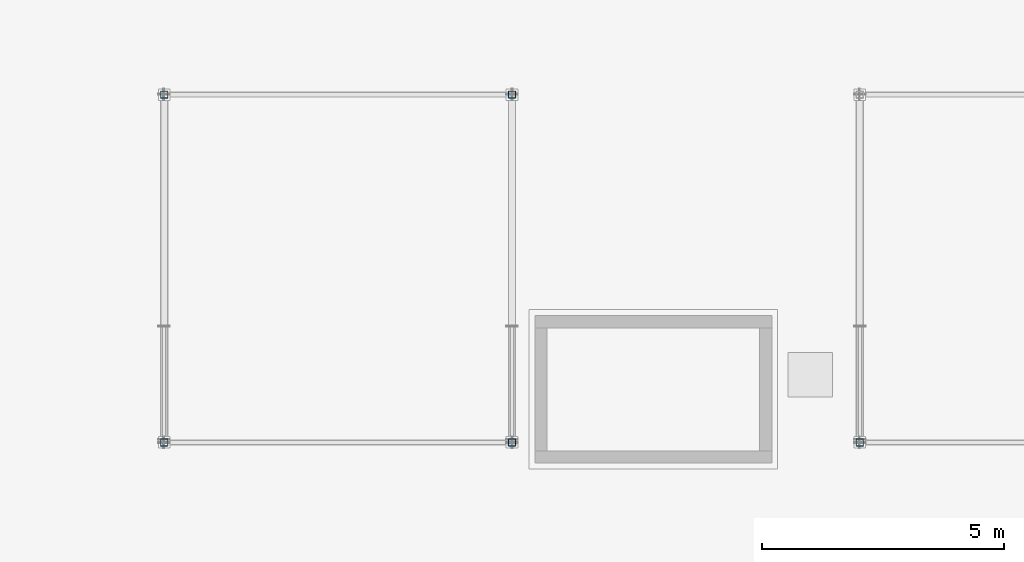
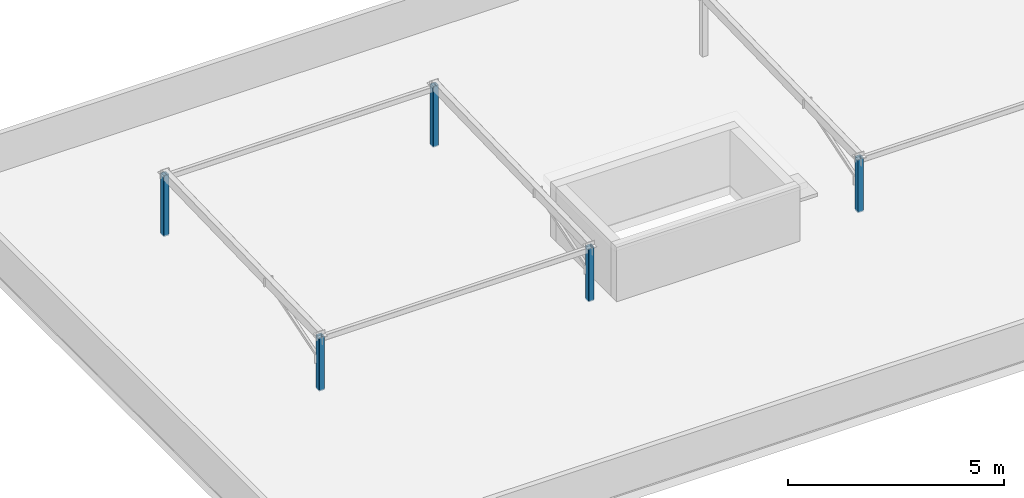
# One storey, part 1 of 7: 5 columns.
"""IFC4 building model written with IfcOpenShell, lengths in metres."""

from ifc_helpers import new_model, si_unit, direction, frame, origin, origin_2d, place, context, subcontext, project, spatial, hollow_rectangle, extrude, material, material_profile, profile_set, type_object, element, save


model = new_model("IFC4")

# Units and contexts
model_context = context("Model", 3, precision=1e-05, world=origin(), true_north=direction((0.0, 1.0)))
body_context = subcontext(model_context, "Body", "Model", "MODEL_VIEW")
ifc_project = project(units=[si_unit("LENGTHUNIT", "METRE"), si_unit("AREAUNIT", "SQUARE_METRE"), si_unit("VOLUMEUNIT", "CUBIC_METRE"), si_unit("PLANEANGLEUNIT", "RADIAN"), si_unit("MASSUNIT", "GRAM", prefix="KILO")], contexts=[model_context])

# Site, building, storey
site_placement = place(None, origin())
site = spatial("IfcSite", under=ifc_project, at=site_placement, CompositionType="ELEMENT")
building_placement = place(site_placement, origin())
building = spatial("IfcBuilding", under=site, at=building_placement, Name="Ochrevale Crest", CompositionType="ELEMENT")
storey_placement = place(building_placement, frame((0.0, 0.0, 52.800048828125)))
storey = spatial("IfcBuildingStorey", under=building, at=storey_placement, Name="RF", CompositionType="ELEMENT", Elevation=52.800048828125)

# Columns
ifc_material = material(Name="Steel S355", Category="steel")
ifc_material_profile = material_profile(ifc_material, hollow_rectangle(XDim=0.14990234375, YDim=0.14990234375, WallThickness=0.006103515625, InnerFilletRadius=0.006103515625, OuterFilletRadius=0.011962890625, at=origin_2d()), Name="150x150x6.0SHS")
ifc_profile_set = profile_set([ifc_material_profile], Name="Steel S355")
column_type = type_object("IfcColumnType", Name="COL-SHS150", PredefinedType="COLUMN", material=ifc_profile_set)
column_1_placement = place(storey_placement, frame((136.800048828125, 79.199951171875, 0.0), z_axis=(0.0, 0.0, 1.0), x_axis=(1.0, 0.0, 0.0)))
element("IfcColumn", 1, at=column_1_placement, inside=storey, type_object=column_type, Name="Block D solar-frame support post", PredefinedType="COLUMN", context=body_context, shape_type="SweptSolid", body=[
    extrude(hollow_rectangle(XDim=0.14990234375, YDim=0.14990234375, WallThickness=0.006103515625, InnerFilletRadius=0.006103515625, OuterFilletRadius=0.011962890625, at=origin_2d()), origin(), (0.0, 0.0, 1.0), 1.52001953125),
])
column_2_placement = place(storey_placement, frame((136.800048828125, 86.39990234375, 0.0), z_axis=(0.0, 0.0, 1.0), x_axis=(1.0, 0.0, 0.0)))
element("IfcColumn", 2, at=column_2_placement, inside=storey, type_object=column_type, Name="Block D solar-frame support post", PredefinedType="COLUMN", context=body_context, shape_type="SweptSolid", body=[
    extrude(hollow_rectangle(XDim=0.14990234375, YDim=0.14990234375, WallThickness=0.006103515625, InnerFilletRadius=0.006103515625, OuterFilletRadius=0.011962890625, at=origin_2d()), origin(), (0.0, 0.0, 1.0), 1.719970703125),
])
column_3_placement = place(storey_placement, frame((144.0, 79.199951171875, 0.0), z_axis=(0.0, 0.0, 1.0), x_axis=(1.0, 0.0, 0.0)))
element("IfcColumn", 3, at=column_3_placement, inside=storey, type_object=column_type, Name="Block D solar-frame support post", PredefinedType="COLUMN", context=body_context, shape_type="SweptSolid", body=[
    extrude(hollow_rectangle(XDim=0.14990234375, YDim=0.14990234375, WallThickness=0.006103515625, InnerFilletRadius=0.006103515625, OuterFilletRadius=0.011962890625, at=origin_2d()), origin(), (0.0, 0.0, 1.0), 1.52001953125),
])
column_4_placement = place(storey_placement, frame((144.0, 86.39990234375, 0.0), z_axis=(0.0, 0.0, 1.0), x_axis=(1.0, 0.0, 0.0)))
element("IfcColumn", 4, at=column_4_placement, inside=storey, type_object=column_type, Name="Block D solar-frame support post", PredefinedType="COLUMN", context=body_context, shape_type="SweptSolid", body=[
    extrude(hollow_rectangle(XDim=0.14990234375, YDim=0.14990234375, WallThickness=0.006103515625, InnerFilletRadius=0.006103515625, OuterFilletRadius=0.011962890625, at=origin_2d()), origin(), (0.0, 0.0, 1.0), 1.719970703125),
])
column_5_placement = place(storey_placement, frame((151.199951171875, 79.199951171875, 0.0), z_axis=(0.0, 0.0, 1.0), x_axis=(1.0, 0.0, 0.0)))
element("IfcColumn", 5, at=column_5_placement, inside=storey, type_object=column_type, Name="Block D solar-frame support post", PredefinedType="COLUMN", context=body_context, shape_type="SweptSolid", body=[
    extrude(hollow_rectangle(XDim=0.14990234375, YDim=0.14990234375, WallThickness=0.006103515625, InnerFilletRadius=0.006103515625, OuterFilletRadius=0.011962890625, at=origin_2d()), origin(), (0.0, 0.0, 1.0), 1.52001953125),
])

save(model, "model.ifc")
